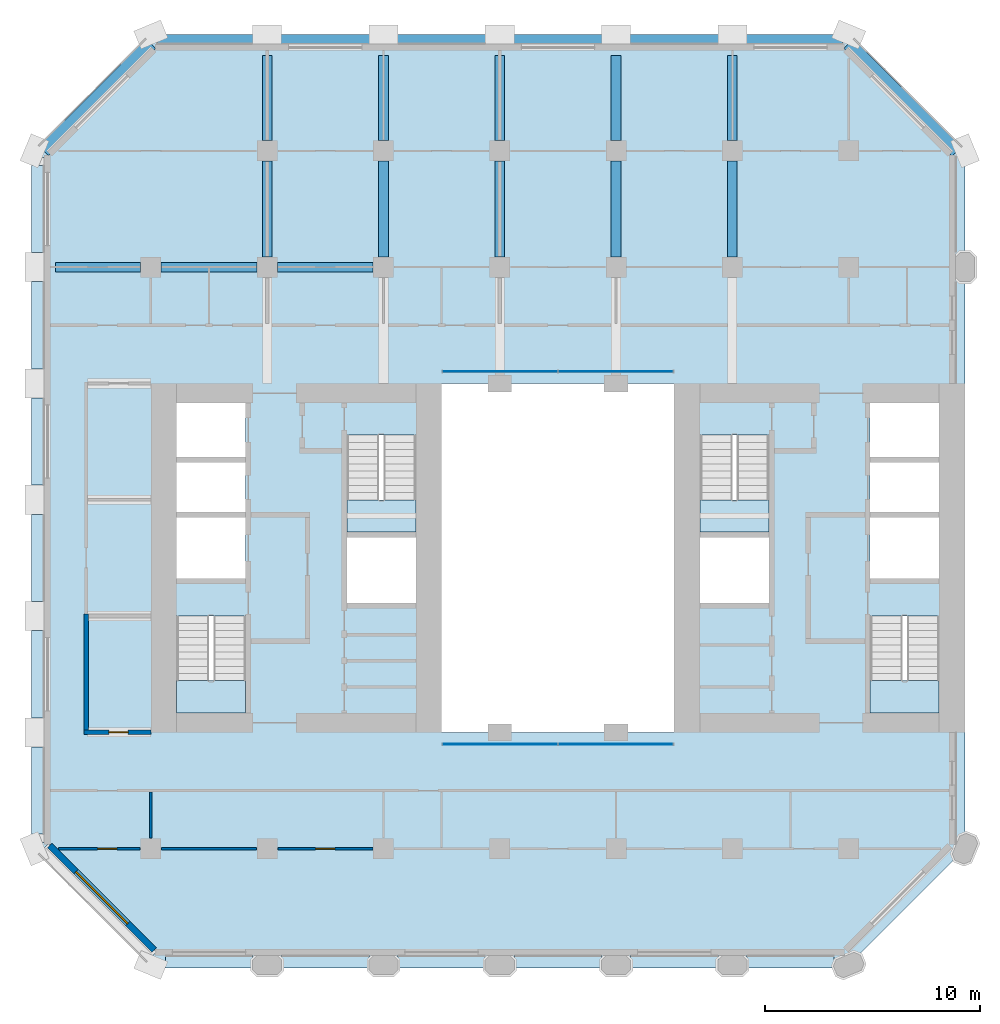
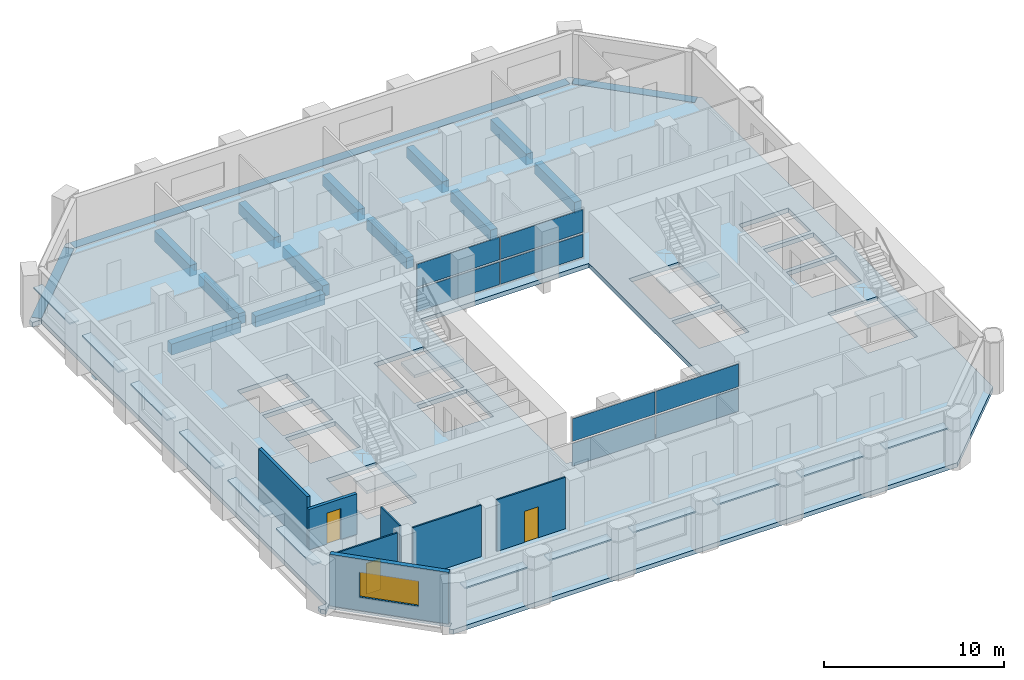
# One storey, part 5 of 13: 20 plates, 16 beams, 7 walls, 5 slabs, 3 doors, 1 window, 4 openings, 6 elements without a shape of their own.
"""IFC4 building model written with IfcOpenShell, lengths in metres."""

from ifc_helpers import new_model, si_unit, direction, frame, frame_2d, origin, origin_2d, place, context, subcontext, project, spatial, polyline, rectangle, outline, extrude, material, layer, layer_set, material_profile, profile_set, type_object, element, fill, aggregate, save


model = new_model("IFC4")

# Units and contexts
model_context = context("Model", 3, precision=1e-05, world=origin(), true_north=direction((0.0, 1.0)))
body_context = subcontext(model_context, "Body", "Model", "MODEL_VIEW")
ifc_project = project(units=[si_unit("LENGTHUNIT", "METRE"), si_unit("AREAUNIT", "SQUARE_METRE"), si_unit("VOLUMEUNIT", "CUBIC_METRE"), si_unit("PLANEANGLEUNIT", "RADIAN"), si_unit("MASSUNIT", "GRAM", prefix="KILO")], contexts=[model_context])

# Site, building, storey
site_placement = place(None, origin())
site = spatial("IfcSite", under=ifc_project, at=site_placement, CompositionType="ELEMENT")
building_placement = place(site_placement, origin())
building = spatial("IfcBuilding", under=site, at=building_placement, Name="Tabaq Tower and Sports Hall", CompositionType="ELEMENT")
storey_placement = place(building_placement, frame((0.0, 0.0, 103.0)))
storey = spatial("IfcBuildingStorey", under=building, at=storey_placement, Name="L24", CompositionType="ELEMENT", Elevation=103.0)

# Beams
ifc_material_1 = material(Name="Concrete C40/50", Category="concrete")
ifc_material_profile_1 = material_profile(ifc_material_1, rectangle(XDim=0.449951171875, YDim=0.75, at=origin_2d()), Name="CB 450x750")
ifc_profile_set_1 = profile_set([ifc_material_profile_1], Name="Concrete C40/50")
beam_type_1 = type_object("IfcBeamType", Name="PT CANTILEVER BEAM CB 450x750 C40/50", PredefinedType="BEAM", material=ifc_profile_set_1)
beam_1_placement = place(storey_placement, frame((0.97509765625, 37.800048828125, -0.675048828125), z_axis=(1.0, 0.0, 0.0), x_axis=(0.0, 1.0, 0.0)))
element("IfcBeam", 1, at=beam_1_placement, inside=storey, type_object=beam_type_1, Name="Cantilever Beam L24 W7 span 1", PredefinedType="BEAM", context=body_context, shape_type="SweptSolid", body=[
    extrude(rectangle(XDim=0.449951171875, YDim=0.75, at=origin_2d()), origin(), (0.0, 0.0, 1.0), 3.949951171875),
])
beam_2_placement = place(storey_placement, frame((5.875, 37.800048828125, -0.675048828125), z_axis=(1.0, 0.0, 0.0), x_axis=(0.0, 1.0, 0.0)))
element("IfcBeam", 2, at=beam_2_placement, inside=storey, type_object=beam_type_1, Name="Cantilever Beam L24 W7 span 2", PredefinedType="BEAM", context=body_context, shape_type="SweptSolid", body=[
    extrude(rectangle(XDim=0.449951171875, YDim=0.75, at=origin_2d()), origin(), (0.0, 0.0, 1.0), 4.449951171875),
])
beam_3_placement = place(storey_placement, frame((11.27490234375, 37.800048828125, -0.675048828125), z_axis=(1.0, 0.0, 0.0), x_axis=(0.0, 1.0, 0.0)))
element("IfcBeam", 3, at=beam_3_placement, inside=storey, type_object=beam_type_1, Name="Cantilever Beam L24 W7 span 3", PredefinedType="BEAM", context=body_context, shape_type="SweptSolid", body=[
    extrude(rectangle(XDim=0.449951171875, YDim=0.75, at=origin_2d()), origin(), (0.0, 0.0, 1.0), 4.4501953125),
])
beam_4_placement = place(storey_placement, frame((10.800048828125, 47.625, -0.675048828125), z_axis=(0.0, -1.0, 0.0), x_axis=(1.0, 0.0, 0.0)))
element("IfcBeam", 4, at=beam_4_placement, inside=storey, type_object=beam_type_1, Name="Cantilever Beam L24 N2 span 1", PredefinedType="BEAM", context=body_context, shape_type="SweptSolid", body=[
    extrude(rectangle(XDim=0.449951171875, YDim=0.75, at=origin_2d()), origin(), (0.0, 0.0, 1.0), 3.949951171875),
])
beam_5_placement = place(storey_placement, frame((10.800048828125, 42.72509765625, -0.675048828125), z_axis=(0.0, -1.0, 0.0), x_axis=(1.0, 0.0, 0.0)))
element("IfcBeam", 5, at=beam_5_placement, inside=storey, type_object=beam_type_1, Name="Cantilever Beam L24 N2 span 2", PredefinedType="BEAM", context=body_context, shape_type="SweptSolid", body=[
    extrude(rectangle(XDim=0.449951171875, YDim=0.75, at=origin_2d()), origin(), (0.0, 0.0, 1.0), 4.4501953125),
])
beam_6_placement = place(storey_placement, frame((16.199951171875, 47.625, -0.675048828125), z_axis=(0.0, -1.0, 0.0), x_axis=(1.0, 0.0, 0.0)))
element("IfcBeam", 6, at=beam_6_placement, inside=storey, type_object=beam_type_1, Name="Cantilever Beam L24 N3 span 1", PredefinedType="BEAM", context=body_context, shape_type="SweptSolid", body=[
    extrude(rectangle(XDim=0.449951171875, YDim=0.75, at=origin_2d()), origin(), (0.0, 0.0, 1.0), 3.949951171875),
])
beam_7_placement = place(storey_placement, frame((16.199951171875, 42.72509765625, -0.675048828125), z_axis=(0.0, -1.0, 0.0), x_axis=(1.0, 0.0, 0.0)))
element("IfcBeam", 7, at=beam_7_placement, inside=storey, type_object=beam_type_1, Name="Cantilever Beam L24 N3 span 2", PredefinedType="BEAM", context=body_context, shape_type="SweptSolid", body=[
    extrude(rectangle(XDim=0.449951171875, YDim=0.75, at=origin_2d()), origin(), (0.0, 0.0, 1.0), 4.4501953125),
])
beam_8_placement = place(storey_placement, frame((21.60009765625, 47.625, -0.675048828125), z_axis=(0.0, -1.0, 0.0), x_axis=(1.0, 0.0, 0.0)))
element("IfcBeam", 8, at=beam_8_placement, inside=storey, type_object=beam_type_1, Name="Cantilever Beam L24 N4 span 1", PredefinedType="BEAM", context=body_context, shape_type="SweptSolid", body=[
    extrude(rectangle(XDim=0.449951171875, YDim=0.75, at=origin_2d()), origin(), (0.0, 0.0, 1.0), 3.949951171875),
])
beam_9_placement = place(storey_placement, frame((21.60009765625, 42.72509765625, -0.675048828125), z_axis=(0.0, -1.0, 0.0), x_axis=(1.0, 0.0, 0.0)))
element("IfcBeam", 9, at=beam_9_placement, inside=storey, type_object=beam_type_1, Name="Cantilever Beam L24 N4 span 2", PredefinedType="BEAM", context=body_context, shape_type="SweptSolid", body=[
    extrude(rectangle(XDim=0.449951171875, YDim=0.75, at=origin_2d()), origin(), (0.0, 0.0, 1.0), 4.4501953125),
])
beam_10_placement = place(storey_placement, frame((27.0, 47.625, -0.675048828125), z_axis=(0.0, -1.0, 0.0), x_axis=(1.0, 0.0, 0.0)))
element("IfcBeam", 10, at=beam_10_placement, inside=storey, type_object=beam_type_1, Name="Cantilever Beam L24 N5 span 1", PredefinedType="BEAM", context=body_context, shape_type="SweptSolid", body=[
    extrude(rectangle(XDim=0.449951171875, YDim=0.75, at=origin_2d()), origin(), (0.0, 0.0, 1.0), 3.949951171875),
])
beam_11_placement = place(storey_placement, frame((27.0, 42.72509765625, -0.675048828125), z_axis=(0.0, -1.0, 0.0), x_axis=(1.0, 0.0, 0.0)))
element("IfcBeam", 11, at=beam_11_placement, inside=storey, type_object=beam_type_1, Name="Cantilever Beam L24 N5 span 2", PredefinedType="BEAM", context=body_context, shape_type="SweptSolid", body=[
    extrude(rectangle(XDim=0.449951171875, YDim=0.75, at=origin_2d()), origin(), (0.0, 0.0, 1.0), 4.4501953125),
])
beam_12_placement = place(storey_placement, frame((32.39990234375, 47.625, -0.675048828125), z_axis=(0.0, -1.0, 0.0), x_axis=(1.0, 0.0, 0.0)))
element("IfcBeam", 12, at=beam_12_placement, inside=storey, type_object=beam_type_1, Name="Cantilever Beam L24 N6 span 1", PredefinedType="BEAM", context=body_context, shape_type="SweptSolid", body=[
    extrude(rectangle(XDim=0.449951171875, YDim=0.75, at=origin_2d()), origin(), (0.0, 0.0, 1.0), 3.949951171875),
])
beam_13_placement = place(storey_placement, frame((32.39990234375, 42.72509765625, -0.675048828125), z_axis=(0.0, -1.0, 0.0), x_axis=(1.0, 0.0, 0.0)))
element("IfcBeam", 13, at=beam_13_placement, inside=storey, type_object=beam_type_1, Name="Cantilever Beam L24 N6 span 2", PredefinedType="BEAM", context=body_context, shape_type="SweptSolid", body=[
    extrude(rectangle(XDim=0.449951171875, YDim=0.75, at=origin_2d()), origin(), (0.0, 0.0, 1.0), 4.4501953125),
])
ifc_material_2 = material(Name="Concrete C40/50", Category="concrete")
ifc_material_profile_2 = material_profile(ifc_material_2, rectangle(XDim=0.60009765625, YDim=0.300048828125, at=origin_2d()), Name="EB 600x300")
ifc_profile_set_2 = profile_set([ifc_material_profile_2], Name="Concrete C40/50")
beam_type_2 = type_object("IfcBeamType", Name="PT EDGE BEAM EB 600x300 C40/50", PredefinedType="SPANDREL", material=ifc_profile_set_2)
beam_14_placement = place(storey_placement, frame((42.81103515625, 43.16455078125, -0.14990234375), z_axis=(-0.707089559252, 0.707124002701, 0.0), x_axis=(-0.707124002701, -0.707089559252, 0.0)))
element("IfcBeam", 14, at=beam_14_placement, inside=storey, type_object=beam_type_2, Name="Edge Beam L24 1", PredefinedType="SPANDREL", context=body_context, shape_type="SweptSolid", body=[
    extrude(rectangle(XDim=0.60009765625, YDim=0.300048828125, at=origin_2d()), origin(), (0.0, 0.0, 1.0), 7.088134765625),
])
beam_15_placement = place(storey_placement, frame((37.50146484375, 48.300048828125, -0.14990234375), z_axis=(-1.0, 0.0, 0.0), x_axis=(0.0, -1.0, 0.0)))
element("IfcBeam", 15, at=beam_15_placement, inside=storey, type_object=beam_type_2, Name="Edge Beam L24 2", PredefinedType="SPANDREL", context=body_context, shape_type="SweptSolid", body=[
    extrude(rectangle(XDim=0.60009765625, YDim=0.300048828125, at=origin_2d()), origin(), (0.0, 0.0, 1.0), 31.802978515625),
])
beam_16_placement = place(storey_placement, frame((5.401123046875, 48.1767578125, -0.14990234375), z_axis=(-0.707106781187, -0.707106781187, 0.0), x_axis=(0.707106781187, -0.707106781187, 0.0)))
element("IfcBeam", 16, at=beam_16_placement, inside=storey, type_object=beam_type_2, Name="Edge Beam L24 3", PredefinedType="SPANDREL", context=body_context, shape_type="SweptSolid", body=[
    extrude(rectangle(XDim=0.60009765625, YDim=0.300048828125, at=origin_2d()), origin(), (0.0, 0.0, 1.0), 7.03955078125),
])

# Curtain wall, plates
ifc_material_3 = material(Name="Aluminium alloy 6063-T6 framed glazing", Category="aluminium")
curtain_wall_type = type_object("IfcCurtainWallType", Name="CW1 curtain wall", PredefinedType="USERDEFINED", material=ifc_material_3)
curtain_wall_1_placement = place(storey_placement, origin())
curtain_wall_1 = element("IfcCurtainWall", 17, at=curtain_wall_1_placement, inside=storey, type_object=curtain_wall_type, Name="Atrium glazing L24 S", ObjectType="ATRIUM ENCLOSURE", PredefinedType="USERDEFINED")
ifc_material_4 = material(Name="Clear low-emissivity glass 28 mm", Category="glass")
ifc_layer_1 = layer(ifc_material_4, 0.028076171875)
ifc_layer_set_1 = layer_set([ifc_layer_1], Name="CW1 glass panel 28")
plate_type_1 = type_object("IfcPlateType", Name="CW1 glass panel 28", PredefinedType="CURTAIN_PANEL", material=ifc_layer_set_1)
plate_1_placement = place(storey_placement, frame((21.614990234375, 15.64990234375, 0.139892578125), z_axis=(0.0, 0.0, 1.0), x_axis=(1.0, 0.0, 0.0)))
plate_1 = element("IfcPlate", 18, at=plate_1_placement, type_object=plate_type_1, Name="CW1 panel 1.1", PredefinedType="CURTAIN_PANEL", context=body_context, shape_type="SweptSolid", body=[
    extrude(rectangle(XDim=5.31005859375, YDim=0.028076171875, at=origin_2d()), origin(), (0.0, 0.0, 1.0), 1.5400390625),
])
plate_2_placement = place(storey_placement, frame((21.614990234375, 15.64990234375, 1.820068359375), z_axis=(0.0, 0.0, 1.0), x_axis=(1.0, 0.0, 0.0)))
plate_2 = element("IfcPlate", 19, at=plate_2_placement, type_object=plate_type_1, Name="CW1 panel 1.2", PredefinedType="CURTAIN_PANEL", context=body_context, shape_type="SweptSolid", body=[
    extrude(rectangle(XDim=5.31005859375, YDim=0.028076171875, at=origin_2d()), origin(), (0.0, 0.0, 1.0), 1.5400390625),
])
plate_3_placement = place(storey_placement, frame((26.985107421875, 15.64990234375, 0.139892578125), z_axis=(0.0, 0.0, 1.0), x_axis=(1.0, 0.0, 0.0)))
plate_3 = element("IfcPlate", 20, at=plate_3_placement, type_object=plate_type_1, Name="CW1 panel 2.1", PredefinedType="CURTAIN_PANEL", context=body_context, shape_type="SweptSolid", body=[
    extrude(rectangle(XDim=5.31005859375, YDim=0.028076171875, at=origin_2d()), origin(), (0.0, 0.0, 1.0), 1.5400390625),
])
plate_4_placement = place(storey_placement, frame((26.985107421875, 15.64990234375, 1.820068359375), z_axis=(0.0, 0.0, 1.0), x_axis=(1.0, 0.0, 0.0)))
plate_4 = element("IfcPlate", 21, at=plate_4_placement, type_object=plate_type_1, Name="CW1 panel 2.2", PredefinedType="CURTAIN_PANEL", context=body_context, shape_type="SweptSolid", body=[
    extrude(rectangle(XDim=5.31005859375, YDim=0.028076171875, at=origin_2d()), origin(), (0.0, 0.0, 1.0), 1.5400390625),
])
aggregate(curtain_wall_1, [plate_1, plate_2, plate_3, plate_4])

curtain_wall_2_placement = place(storey_placement, origin())
curtain_wall_2 = element("IfcCurtainWall", 22, at=curtain_wall_2_placement, inside=storey, type_object=curtain_wall_type, Name="Atrium glazing L24 N", ObjectType="ATRIUM ENCLOSURE", PredefinedType="USERDEFINED")
plate_5_placement = place(storey_placement, frame((21.614990234375, 32.949951171875, 0.139892578125), z_axis=(0.0, 0.0, 1.0), x_axis=(1.0, 0.0, 0.0)))
plate_5 = element("IfcPlate", 23, at=plate_5_placement, type_object=plate_type_1, Name="CW1 panel 1.1", PredefinedType="CURTAIN_PANEL", context=body_context, shape_type="SweptSolid", body=[
    extrude(rectangle(XDim=5.31005859375, YDim=0.028076171875, at=origin_2d()), origin(), (0.0, 0.0, 1.0), 1.5400390625),
])
plate_6_placement = place(storey_placement, frame((21.614990234375, 32.949951171875, 1.820068359375), z_axis=(0.0, 0.0, 1.0), x_axis=(1.0, 0.0, 0.0)))
plate_6 = element("IfcPlate", 24, at=plate_6_placement, type_object=plate_type_1, Name="CW1 panel 1.2", PredefinedType="CURTAIN_PANEL", context=body_context, shape_type="SweptSolid", body=[
    extrude(rectangle(XDim=5.31005859375, YDim=0.028076171875, at=origin_2d()), origin(), (0.0, 0.0, 1.0), 1.5400390625),
])
plate_7_placement = place(storey_placement, frame((26.985107421875, 32.949951171875, 0.139892578125), z_axis=(0.0, 0.0, 1.0), x_axis=(1.0, 0.0, 0.0)))
plate_7 = element("IfcPlate", 25, at=plate_7_placement, type_object=plate_type_1, Name="CW1 panel 2.1", PredefinedType="CURTAIN_PANEL", context=body_context, shape_type="SweptSolid", body=[
    extrude(rectangle(XDim=5.31005859375, YDim=0.028076171875, at=origin_2d()), origin(), (0.0, 0.0, 1.0), 1.5400390625),
])
plate_8_placement = place(storey_placement, frame((26.985107421875, 32.949951171875, 1.820068359375), z_axis=(0.0, 0.0, 1.0), x_axis=(1.0, 0.0, 0.0)))
plate_8 = element("IfcPlate", 26, at=plate_8_placement, type_object=plate_type_1, Name="CW1 panel 2.2", PredefinedType="CURTAIN_PANEL", context=body_context, shape_type="SweptSolid", body=[
    extrude(rectangle(XDim=5.31005859375, YDim=0.028076171875, at=origin_2d()), origin(), (0.0, 0.0, 1.0), 1.5400390625),
])
aggregate(curtain_wall_2, [plate_5, plate_6, plate_7, plate_8])

# Stair, slab
ifc_material_5 = material(Name="Concrete C40/50", Category="concrete")
stair_type = type_object("IfcStairType", Name="Exit stair", PredefinedType="HALF_TURN_STAIR", material=ifc_material_5)
stair_1_placement = place(storey_placement, origin())
stair_1 = element("IfcStair", 27, at=stair_1_placement, inside=storey, type_object=stair_type, Name="L24 Exit stair ST1", PredefinedType="HALF_TURN_STAIR")
ifc_material_6 = material(Name="Concrete C40/50", Category="concrete")
ifc_layer_2 = layer(ifc_material_6, 0.199951171875)
ifc_layer_set_2 = layer_set([ifc_layer_2], Name="Exit stair landing")
slab_type_1 = type_object("IfcSlabType", Name="Exit stair landing", PredefinedType="LANDING", material=ifc_layer_set_2)
slab_1_placement = place(storey_placement, frame((0.0, 0.0, 1.699951171875)))
slab_1 = element("IfcSlab", 28, at=slab_1_placement, type_object=slab_type_1, Name="ST1 landing 1", PredefinedType="LANDING", context=body_context, shape_type="SweptSolid", body=[
    extrude(outline(polyline([(6.60009765625, 18.60009765625), (6.60009765625, 17.10009765625), (9.800048828125, 17.10009765625), (9.800048828125, 18.60009765625), (6.60009765625, 18.60009765625)])), origin(), (0.0, 0.0, 1.0), 0.199951171875),
])
aggregate(stair_1, [slab_1])

stair_2_placement = place(storey_placement, origin())
stair_2 = element("IfcStair", 29, at=stair_2_placement, inside=storey, type_object=stair_type, Name="L24 Exit stair ST2", PredefinedType="HALF_TURN_STAIR")
slab_2_placement = place(storey_placement, frame((0.0, 0.0, 1.699951171875)))
slab_2 = element("IfcSlab", 30, at=slab_2_placement, type_object=slab_type_1, Name="ST2 landing 1", PredefinedType="LANDING", context=body_context, shape_type="SweptSolid", body=[
    extrude(outline(polyline([(14.5, 27.0), (14.5, 25.5), (17.699951171875, 25.5), (17.699951171875, 27.0), (14.5, 27.0)])), origin(), (0.0, 0.0, 1.0), 0.199951171875),
])
aggregate(stair_2, [slab_2])

stair_3_placement = place(storey_placement, origin())
stair_3 = element("IfcStair", 31, at=stair_3_placement, inside=storey, type_object=stair_type, Name="L24 Exit stair ST3", PredefinedType="HALF_TURN_STAIR")
slab_3_placement = place(storey_placement, frame((0.0, 0.0, 1.699951171875)))
slab_3 = element("IfcSlab", 32, at=slab_3_placement, type_object=slab_type_1, Name="ST3 landing 1", PredefinedType="LANDING", context=body_context, shape_type="SweptSolid", body=[
    extrude(outline(polyline([(38.800048828125, 18.60009765625), (38.800048828125, 17.10009765625), (42.0, 17.10009765625), (42.0, 18.60009765625), (38.800048828125, 18.60009765625)])), origin(), (0.0, 0.0, 1.0), 0.199951171875),
])
aggregate(stair_3, [slab_3])

stair_4_placement = place(storey_placement, origin())
stair_4 = element("IfcStair", 33, at=stair_4_placement, inside=storey, type_object=stair_type, Name="L24 Exit stair ST4", PredefinedType="HALF_TURN_STAIR")
slab_4_placement = place(storey_placement, frame((0.0, 0.0, 1.699951171875)))
slab_4 = element("IfcSlab", 34, at=slab_4_placement, type_object=slab_type_1, Name="ST4 landing 1", PredefinedType="LANDING", context=body_context, shape_type="SweptSolid", body=[
    extrude(outline(polyline([(30.89990234375, 27.0), (30.89990234375, 25.5), (34.10009765625, 25.5), (34.10009765625, 27.0), (30.89990234375, 27.0)])), origin(), (0.0, 0.0, 1.0), 0.199951171875),
])
aggregate(stair_4, [slab_4])

# Slab
ifc_material_7 = material(Name="Concrete C40/50", Category="concrete")
ifc_layer_3 = layer(ifc_material_7, 0.300048828125)
ifc_layer_set_3 = layer_set([ifc_layer_3], Name="PT FLOOR SLAB 300 C40/50")
slab_type_2 = type_object("IfcSlabType", Name="PT FLOOR SLAB 300 C40/50", PredefinedType="FLOOR", material=ifc_layer_set_3)
slab_5_placement = place(storey_placement, frame((0.0, 0.0, -0.300048828125)))
element("IfcSlab", 35, at=slab_5_placement, inside=storey, type_object=slab_type_2, Name="Floor Slab L24", PredefinedType="FLOOR", context=body_context, shape_type="SweptSolid", body=[
    extrude(outline(polyline([(0.0, 11.0986328125), (0.0, 10.800048828125), (0.211181640625, 10.5888671875), (0.63525390625, 11.01318359375), (5.6474609375, 6.0009765625), (5.57666015625, 5.930419921875), (5.22314453125, 5.57666015625), (5.39990234375, 5.39990234375), (37.800048828125, 5.39990234375), (43.199951171875, 10.800048828125), (43.199951171875, 43.199951171875), (43.023193359375, 43.376708984375), (42.669677734375, 43.023193359375), (42.598876953125, 42.952392578125), (37.5869140625, 47.964599609375), (37.657470703125, 48.035400390625), (38.010986328125, 48.388916015625), (37.800048828125, 48.60009765625), (37.50146484375, 48.60009765625), (37.50146484375, 48.10009765625), (37.50146484375, 48.0), (5.698486328125, 48.0), (5.698486328125, 48.10009765625), (5.698486328125, 48.60009765625), (5.39990234375, 48.60009765625), (5.18896484375, 48.388916015625), (5.54248046875, 48.035400390625), (5.61328125, 47.964599609375), (0.63525390625, 42.98681640625), (0.211181640625, 43.4111328125), (0.0, 43.199951171875), (0.0, 42.9013671875), (0.5, 42.9013671875), (0.60009765625, 42.9013671875), (0.60009765625, 11.0986328125), (0.5, 11.0986328125), (0.0, 11.0986328125)]), holes=[polyline([(6.60009765625, 21.599365234375), (9.800048828125, 21.599365234375), (9.800048828125, 17.10009765625), (6.60009765625, 17.10009765625), (6.60009765625, 21.599365234375)]), polyline([(17.699951171875, 25.25), (17.699951171875, 22.199951171875), (14.5, 22.199951171875), (14.5, 25.25), (17.699951171875, 25.25)]), polyline([(18.89990234375, 32.39990234375), (29.699951171875, 32.39990234375), (29.699951171875, 16.199951171875), (18.89990234375, 16.199951171875), (18.89990234375, 32.39990234375)]), polyline([(6.60009765625, 26.175048828125), (9.800048828125, 26.175048828125), (9.800048828125, 23.35009765625), (6.60009765625, 23.35009765625), (6.60009765625, 26.175048828125)]), polyline([(9.800048828125, 28.72509765625), (9.800048828125, 26.425048828125), (6.60009765625, 26.425048828125), (6.60009765625, 28.72509765625), (9.800048828125, 28.72509765625)]), polyline([(17.699951171875, 29.99951171875), (17.699951171875, 25.5), (14.5, 25.5), (14.5, 29.99951171875), (17.699951171875, 29.99951171875)]), polyline([(6.60009765625, 31.5), (9.800048828125, 31.5), (9.800048828125, 28.97509765625), (6.60009765625, 28.97509765625), (6.60009765625, 31.5)]), polyline([(42.0, 21.599365234375), (42.0, 17.10009765625), (38.800048828125, 17.10009765625), (38.800048828125, 21.599365234375), (42.0, 21.599365234375)]), polyline([(34.10009765625, 25.25), (34.10009765625, 22.199951171875), (30.89990234375, 22.199951171875), (30.89990234375, 25.25), (34.10009765625, 25.25)]), polyline([(42.0, 26.175048828125), (42.0, 23.35009765625), (38.800048828125, 23.35009765625), (38.800048828125, 26.175048828125), (42.0, 26.175048828125)]), polyline([(42.0, 28.72509765625), (42.0, 26.425048828125), (38.800048828125, 26.425048828125), (38.800048828125, 28.72509765625), (42.0, 28.72509765625)]), polyline([(34.10009765625, 29.99951171875), (34.10009765625, 25.5), (30.89990234375, 25.5), (30.89990234375, 29.99951171875), (34.10009765625, 29.99951171875)]), polyline([(42.0, 31.5), (42.0, 28.97509765625), (38.800048828125, 28.97509765625), (38.800048828125, 31.5), (42.0, 31.5)])]), origin(), (0.0, 0.0, 1.0), 0.300048828125),
])

# Plates
ifc_material_8 = material(Name="White precast concrete C60/75 blade", Category="concrete")
ifc_layer_4 = layer(ifc_material_8, 0.10009765625)
ifc_layer_set_4 = layer_set([ifc_layer_4], Name="White precast concrete C60/75 sunshade 100")
plate_type_2 = type_object("IfcPlateType", Name="White precast concrete C60/75 sunshade 100", PredefinedType="USERDEFINED", material=ifc_layer_set_4)
for number, where, z_axis, x_axis, name in (
    (36, (8.10009765625, 5.550048828125, 2.599853515625), (0.0, 0.0, 1.0), (1.0, 0.0, 0.0), "Sunshade L24 S"),
    (37, (13.5, 5.550048828125, 2.599853515625), (0.0, 0.0, 1.0), (1.0, 0.0, 0.0), "Sunshade L24 S"),
    (38, (18.89990234375, 5.550048828125, 2.599853515625), (0.0, 0.0, 1.0), (1.0, 0.0, 0.0), "Sunshade L24 S"),
    (39, (24.300048828125, 5.550048828125, 2.599853515625), (0.0, 0.0, 1.0), (1.0, 0.0, 0.0), "Sunshade L24 S"),
    (40, (29.699951171875, 5.550048828125, 2.599853515625), (0.0, 0.0, 1.0), (1.0, 0.0, 0.0), "Sunshade L24 S"),
    (41, (35.10009765625, 5.550048828125, 2.599853515625), (0.0, 0.0, 1.0), (1.0, 0.0, 0.0), "Sunshade L24 S"),
    (42, (0.14990234375, 40.5, 2.599853515625), (0.0, 0.0, 1.0), (0.0, -1.0, 0.0), "Sunshade L24 W"),
    (43, (0.14990234375, 35.10009765625, 2.599853515625), (0.0, 0.0, 1.0), (0.0, -1.0, 0.0), "Sunshade L24 W"),
    (44, (0.14990234375, 29.699951171875, 2.599853515625), (0.0, 0.0, 1.0), (0.0, -1.0, 0.0), "Sunshade L24 W"),
    (45, (0.14990234375, 24.300048828125, 2.599853515625), (0.0, 0.0, 1.0), (0.0, -1.0, 0.0), "Sunshade L24 W"),
    (46, (0.14990234375, 18.89990234375, 2.599853515625), (0.0, 0.0, 1.0), (0.0, -1.0, 0.0), "Sunshade L24 W"),
    (47, (0.14990234375, 13.5, 2.599853515625), (0.0, 0.0, 1.0), (0.0, -1.0, 0.0), "Sunshade L24 W"),
):
    element("IfcPlate", number, at=place(storey_placement, frame(where, z_axis=z_axis, x_axis=x_axis)), inside=storey, type_object=plate_type_2, Name=name, ObjectType="SUNSHADE", PredefinedType="USERDEFINED", context=body_context, shape_type="SweptSolid", body=[
        extrude(rectangle(XDim=4.050048828125, YDim=0.60009765625, at=origin_2d()), origin(), (0.0, 0.0, 1.0), 0.10009765625),
    ])

# Wall, opening, door
ifc_material_9 = material(Name="Blockwork", Category="masonry")
ifc_layer_5 = layer(ifc_material_9, 0.199951171875)
ifc_layer_set_5 = layer_set([ifc_layer_5], Name="Fire compartment wall 200 Blockwork")
wall_type_1 = type_object("IfcWallType", Name="Fire compartment wall 200 Blockwork", PredefinedType="PARTITIONING", material=ifc_layer_set_5)
wall_1_placement = place(storey_placement, frame((5.39990234375, 16.199951171875, 0.0), z_axis=(0.0, 0.0, 1.0), x_axis=(-1.0, 0.0, 0.0)))
wall_1 = element("IfcWall", 48, at=wall_1_placement, inside=storey, type_object=wall_type_1, Name="Compartment wall L24", PredefinedType="PARTITIONING", context=body_context, shape_type="SweptSolid", body=[
    extrude(rectangle(XDim=3.099853515625, YDim=0.199951171875, at=frame_2d((1.5498046875, 0.0))), origin(), (0.0, 0.0, 1.0), 2.75),
])
opening_1_placement = place(wall_1_placement, frame((1.050048828125, 0.0, 0.0)))
opening_1 = element("IfcOpeningElement", 49, at=opening_1_placement, cuts=wall_1, Name="Opening L24-008", PredefinedType="OPENING", context=body_context, shape_type="SweptSolid", body=[
    extrude(rectangle(XDim=0.89990234375, YDim=2.10009765625, at=frame_2d((0.449951171875, 1.050048828125))), frame((0.0, 0.10009765625, 0.0), z_axis=(0.0, -1.0, 0.0), x_axis=(1.0, 0.0, 0.0)), (0.0, 0.0, 1.0), 0.199951171875),
])
ifc_material_10 = material(Name="Steel fire door", Category="steel")
door_type_1 = type_object("IfcDoorType", Name="Plant room door 900 right hand", OperationType="SINGLE_SWING_RIGHT", PredefinedType="DOOR", material=ifc_material_10)
door_1_placement = place(opening_1_placement, origin())
door_1 = element("IfcDoor", 50, at=door_1_placement, inside=storey, type_object=door_type_1, Name="Plant room door L24-008", OperationType="SINGLE_SWING_RIGHT", OverallHeight=2.10009765625, OverallWidth=0.89990234375, PredefinedType="DOOR", context=body_context, shape_type="SweptSolid", body=[
    extrude(rectangle(XDim=0.89990234375, YDim=2.10009765625, at=frame_2d((0.449951171875, 1.050048828125))), frame((0.0, 0.02490234375, 0.0), z_axis=(0.0, -1.0, 0.0), x_axis=(1.0, 0.0, 0.0)), (0.0, 0.0, 1.0), 0.050048828125),
])
fill(opening_1, door_1)

# Wall
wall_2_placement = place(storey_placement, frame((2.39990234375, 16.300048828125, 0.0), z_axis=(0.0, 0.0, 1.0), x_axis=(0.0, 1.0, 0.0)))
element("IfcWall", 51, at=wall_2_placement, inside=storey, type_object=wall_type_1, Name="Compartment wall L24", PredefinedType="PARTITIONING", context=body_context, shape_type="SweptSolid", body=[
    extrude(rectangle(XDim=5.39990234375, YDim=0.199951171875, at=frame_2d((2.699951171875, 0.0))), origin(), (0.0, 0.0, 1.0), 3.5),
])

# Wall, opening, door
ifc_material_11 = material(Name="Gypsum board on steel studs", Category="steel")
ifc_layer_6 = layer(ifc_material_11, 0.10009765625)
ifc_layer_set_6 = layer_set([ifc_layer_6], Name="Partition 100 Gypsum board")
wall_type_2 = type_object("IfcWallType", Name="Partition 100 Gypsum board", PredefinedType="PARTITIONING", material=ifc_layer_set_6)
wall_3_placement = place(storey_placement, frame((1.112060546875, 10.800048828125, 0.0), z_axis=(0.0, 0.0, 1.0), x_axis=(1.0, 0.0, 0.0)))
wall_3 = element("IfcWall", 52, at=wall_3_placement, inside=storey, type_object=wall_type_2, Name="Partition wall L24", PredefinedType="PARTITIONING", context=body_context, shape_type="SweptSolid", body=[
    extrude(rectangle(XDim=3.79296875, YDim=0.10009765625, at=frame_2d((1.896484375, 0.0))), origin(), (0.0, 0.0, 1.0), 3.5),
])
opening_2_placement = place(wall_3_placement, frame((1.81298828125, 0.0, 0.0)))
opening_2 = element("IfcOpeningElement", 53, at=opening_2_placement, cuts=wall_3, Name="Opening L24-029", PredefinedType="OPENING", context=body_context, shape_type="SweptSolid", body=[
    extrude(rectangle(XDim=0.89990234375, YDim=2.10009765625, at=frame_2d((0.449951171875, 1.050048828125))), frame((0.0, 0.050048828125, 0.0), z_axis=(0.0, -1.0, 0.0), x_axis=(1.0, 0.0, 0.0)), (0.0, 0.0, 1.0), 0.10009765625),
])
ifc_material_12 = material(Name="Timber leaf in steel frame", Category="steel")
door_type_2 = type_object("IfcDoorType", Name="Internal door 900 right hand", OperationType="SINGLE_SWING_RIGHT", PredefinedType="DOOR", material=ifc_material_12)
door_2_placement = place(opening_2_placement, origin())
door_2 = element("IfcDoor", 54, at=door_2_placement, inside=storey, type_object=door_type_2, Name="Internal door L24-029", OperationType="SINGLE_SWING_RIGHT", OverallHeight=2.10009765625, OverallWidth=0.89990234375, PredefinedType="DOOR", context=body_context, shape_type="SweptSolid", body=[
    extrude(rectangle(XDim=0.89990234375, YDim=2.10009765625, at=frame_2d((0.449951171875, 1.050048828125))), frame((0.0, 0.02490234375, 0.0), z_axis=(0.0, -1.0, 0.0), x_axis=(1.0, 0.0, 0.0)), (0.0, 0.0, 1.0), 0.050048828125),
])
fill(opening_2, door_2)

# Walls
wall_4_placement = place(storey_placement, frame((5.39990234375, 11.294921875, 0.0), z_axis=(0.0, 0.0, 1.0), x_axis=(0.0, 1.0, 0.0)))
element("IfcWall", 55, at=wall_4_placement, inside=storey, type_object=wall_type_2, Name="Partition wall L24", PredefinedType="PARTITIONING", context=body_context, shape_type="SweptSolid", body=[
    extrude(rectangle(XDim=2.130126953125, YDim=0.10009765625, at=frame_2d((1.06494140625, 0.0))), origin(), (0.0, 0.0, 1.0), 3.5),
])
wall_5_placement = place(storey_placement, frame((5.89501953125, 10.800048828125, 0.0), z_axis=(0.0, 0.0, 1.0), x_axis=(1.0, 0.0, 0.0)))
element("IfcWall", 56, at=wall_5_placement, inside=storey, type_object=wall_type_2, Name="Partition wall L24", PredefinedType="PARTITIONING", context=body_context, shape_type="SweptSolid", body=[
    extrude(rectangle(XDim=4.409912109375, YDim=0.10009765625, at=frame_2d((2.205078125, 0.0))), origin(), (0.0, 0.0, 1.0), 3.5),
])

# Wall, opening, door
wall_6_placement = place(storey_placement, frame((11.294921875, 10.800048828125, 0.0), z_axis=(0.0, 0.0, 1.0), x_axis=(1.0, 0.0, 0.0)))
wall_6 = element("IfcWall", 57, at=wall_6_placement, inside=storey, type_object=wall_type_2, Name="Partition wall L24", PredefinedType="PARTITIONING", context=body_context, shape_type="SweptSolid", body=[
    extrude(rectangle(XDim=4.41015625, YDim=0.10009765625, at=frame_2d((2.205078125, 0.0))), origin(), (0.0, 0.0, 1.0), 3.5),
])
opening_3_placement = place(wall_6_placement, frame((1.7548828125, 0.0, 0.0)))
opening_3 = element("IfcOpeningElement", 58, at=opening_3_placement, cuts=wall_6, Name="Opening L24-018", PredefinedType="OPENING", context=body_context, shape_type="SweptSolid", body=[
    extrude(rectangle(XDim=0.89990234375, YDim=2.10009765625, at=frame_2d((0.449951171875, 1.050048828125))), frame((0.0, 0.050048828125, 0.0), z_axis=(0.0, -1.0, 0.0), x_axis=(1.0, 0.0, 0.0)), (0.0, 0.0, 1.0), 0.10009765625),
])
ifc_material_13 = material(Name="Timber leaf in steel frame", Category="steel")
door_type_3 = type_object("IfcDoorType", Name="Internal door 900 left hand", OperationType="SINGLE_SWING_LEFT", PredefinedType="DOOR", material=ifc_material_13)
door_3_placement = place(opening_3_placement, origin())
door_3 = element("IfcDoor", 59, at=door_3_placement, inside=storey, type_object=door_type_3, Name="Internal door L24-018", OperationType="SINGLE_SWING_LEFT", OverallHeight=2.10009765625, OverallWidth=0.89990234375, PredefinedType="DOOR", context=body_context, shape_type="SweptSolid", body=[
    extrude(rectangle(XDim=0.89990234375, YDim=2.10009765625, at=frame_2d((0.449951171875, 1.050048828125))), frame((0.0, 0.02490234375, 0.0), z_axis=(0.0, -1.0, 0.0), x_axis=(1.0, 0.0, 0.0)), (0.0, 0.0, 1.0), 0.050048828125),
])
fill(opening_3, door_3)

# Wall, opening, window
ifc_material_14 = material(Name="White precast concrete C60/75", Category="concrete")
ifc_layer_7 = layer(ifc_material_14, 0.300048828125)
ifc_layer_set_7 = layer_set([ifc_layer_7], Name="White precast concrete C60/75 external wall 300")
wall_type_3 = type_object("IfcWallType", Name="White precast concrete C60/75 external wall 300", PredefinedType="SOLIDWALL", material=ifc_layer_set_7)
wall_7_placement = place(storey_placement, frame((0.698974609375, 10.949462890625, 0.0), z_axis=(0.0, 0.0, 1.0), x_axis=(0.707106781187, -0.707106781187, 0.0)))
wall_7 = element("IfcWall", 60, at=wall_7_placement, inside=storey, type_object=wall_type_3, Name="External Wall L24 SW", PredefinedType="SOLIDWALL", context=body_context, shape_type="SweptSolid", body=[
    extrude(rectangle(XDim=6.85986328125, YDim=0.300048828125, at=frame_2d((3.429931640625, 0.0))), origin(), (0.0, 0.0, 1.0), 3.5),
])
opening_4_placement = place(wall_7_placement, frame((1.729736328125, 0.0, 0.89990234375)))
opening_4 = element("IfcOpeningElement", 61, at=opening_4_placement, cuts=wall_7, Name="Opening W1A", PredefinedType="OPENING", context=body_context, shape_type="SweptSolid", body=[
    extrude(rectangle(XDim=3.39990234375, YDim=1.699951171875, at=frame_2d((1.699951171875, 0.85009765625))), frame((0.0, 0.16015625, 0.0), z_axis=(0.0, -1.0, 0.0), x_axis=(1.0, 0.0, 0.0)), (0.0, 0.0, 1.0), 0.320068359375),
])
ifc_material_15 = material(Name="Aluminium framed clear glazing", Category="aluminium")
window_type = type_object("IfcWindowType", Name="Window W1A", PartitioningType="SINGLE_PANEL", PredefinedType="WINDOW", material=ifc_material_15)
window_placement = place(opening_4_placement, origin())
window = element("IfcWindow", 62, at=window_placement, inside=storey, type_object=window_type, Name="Window W1A L24", OverallHeight=1.699951171875, OverallWidth=3.39990234375, PartitioningType="SINGLE_PANEL", PredefinedType="WINDOW", context=body_context, shape_type="SweptSolid", body=[
    extrude(rectangle(XDim=3.39990234375, YDim=1.699951171875, at=frame_2d((1.699951171875, 0.85009765625))), frame((0.0, 0.030029296875, 0.0), z_axis=(0.0, -1.0, 0.0), x_axis=(1.0, 0.0, 0.0)), (0.0, 0.0, 1.0), 0.06005859375),
])
fill(opening_4, window)

save(model, "model.ifc")
